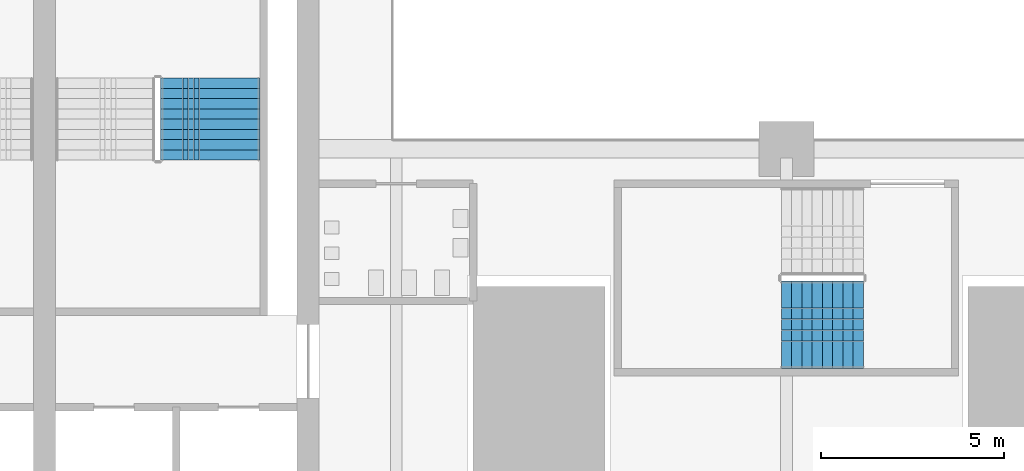
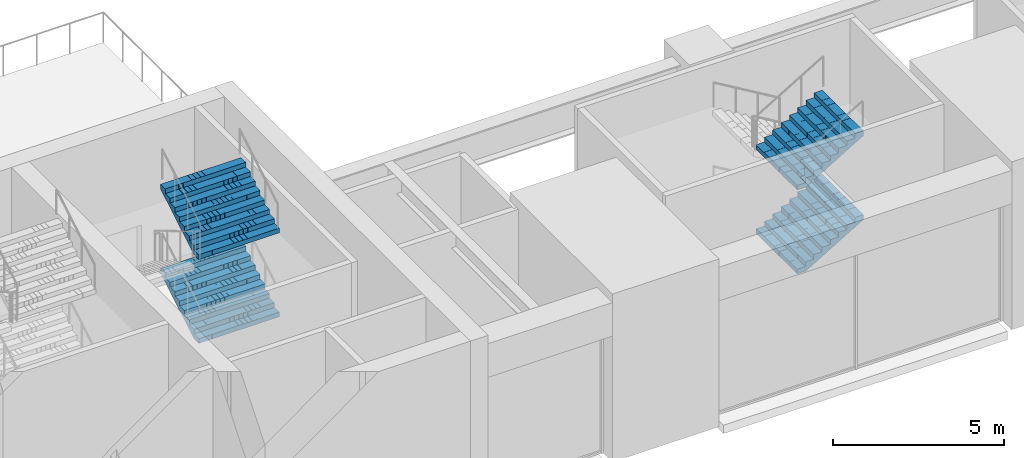
# One storey, part 22 of 43: 4 stair flights, 2 elements without a shape of their own.
"""IFC4 building model written with IfcOpenShell, lengths in metres."""

from ifc_helpers import new_model, si_unit, direction, frame, origin, place, context, subcontext, project, spatial, polyline, outline, extrude, material, type_object, element, aggregate, save


model = new_model("IFC4")

# Units and contexts
model_context = context("Model", 3, precision=1e-05, world=origin(), true_north=direction((0.0, 1.0)))
body_context = subcontext(model_context, "Body", "Model", "MODEL_VIEW")
ifc_project = project(units=[si_unit("LENGTHUNIT", "METRE"), si_unit("AREAUNIT", "SQUARE_METRE"), si_unit("VOLUMEUNIT", "CUBIC_METRE"), si_unit("PLANEANGLEUNIT", "RADIAN"), si_unit("MASSUNIT", "GRAM", prefix="KILO")], contexts=[model_context])

# Site, building, storey
site_placement = place(None, origin())
site = spatial("IfcSite", under=ifc_project, at=site_placement, CompositionType="ELEMENT")
building_placement = place(site_placement, origin())
building = spatial("IfcBuilding", under=site, at=building_placement, Name="Corbelhall Arena Tower", CompositionType="ELEMENT")
storey_placement = place(building_placement, frame((0.0, 0.0, 25.0)))
storey = spatial("IfcBuildingStorey", under=building, at=storey_placement, Name="L03", CompositionType="ELEMENT", Elevation=25.0)

# Stair, stair flights
ifc_material = material(Name="Reinforced concrete C40/50", Category="concrete")
stair_type = type_object("IfcStairType", Name="AR-EXIT-STAIR", PredefinedType="HALF_TURN_STAIR", material=ifc_material)
stair_1_placement = place(storey_placement, origin())
stair_1 = element("IfcStair", 1, at=stair_1_placement, inside=storey, type_object=stair_type, Name="L03 exit stair AS13", PredefinedType="HALF_TURN_STAIR")
stair_flight_type = type_object("IfcStairFlightType", Name="AR-EXIT-FLIGHT", PredefinedType="STRAIGHT", material=ifc_material)
stair_flight_1_placement = place(storey_placement, frame((-20.389892578125, -34.050048828125, 1.5), z_axis=(0.0, 0.0, 1.0), x_axis=(1.0, 0.0, 0.0)))
stair_flight_1 = element("IfcStairFlight", 2, at=stair_flight_1_placement, type_object=stair_flight_type, Name="AS13 flight 2", NumberOfRisers=9, NumberOfTreads=8, PredefinedType="STRAIGHT", RiserHeight=0.166666667, TreadLength=0.28, context=body_context, shape_type="SweptSolid", body=[
    extrude(outline(polyline([(0.0, 0.0), (0.0, 0.166748046875), (0.280029296875, 0.166748046875), (0.280029296875, 0.333251953125), (0.56005859375, 0.333251953125), (0.56005859375, 0.5), (0.840087890625, 0.5), (0.840087890625, 0.666748046875), (1.1201171875, 0.666748046875), (1.1201171875, 0.833251953125), (1.39990234375, 0.833251953125), (1.39990234375, 1.0), (1.679931640625, 1.0), (1.679931640625, 1.166748046875), (1.9599609375, 1.166748046875), (1.9599609375, 1.333251953125), (2.239990234375, 1.333251953125), (2.239990234375, 1.5), (2.239990234375, 1.158935546875), (0.29296875, 0.0), (0.0, 0.0)])), frame((0.0, 1.199951171875, 0.0), z_axis=(0.0, -1.0, 0.0), x_axis=(1.0, 0.0, 0.0)), (0.0, 0.0, 1.0), 0.449951171875),
    extrude(outline(polyline([(0.0, 0.0), (0.0, 0.166748046875), (0.280029296875, 0.166748046875), (0.280029296875, 0.333251953125), (0.56005859375, 0.333251953125), (0.56005859375, 0.5), (0.840087890625, 0.5), (0.840087890625, 0.666748046875), (1.1201171875, 0.666748046875), (1.1201171875, 0.833251953125), (1.39990234375, 0.833251953125), (1.39990234375, 1.0), (1.679931640625, 1.0), (1.679931640625, 1.166748046875), (1.9599609375, 1.166748046875), (1.9599609375, 1.333251953125), (2.239990234375, 1.333251953125), (2.239990234375, 1.5), (2.239990234375, 1.158935546875), (0.29296875, 0.0), (0.0, 0.0)])), frame((0.0, 0.745849609375, 0.0), z_axis=(0.0, -1.0, 0.0), x_axis=(1.0, 0.0, 0.0)), (0.0, 0.0, 1.0), 0.295166015625),
    extrude(outline(polyline([(0.0, 0.0), (0.0, 0.166748046875), (0.280029296875, 0.166748046875), (0.280029296875, 0.333251953125), (0.56005859375, 0.333251953125), (0.56005859375, 0.5), (0.840087890625, 0.5), (0.840087890625, 0.666748046875), (1.1201171875, 0.666748046875), (1.1201171875, 0.833251953125), (1.39990234375, 0.833251953125), (1.39990234375, 1.0), (1.679931640625, 1.0), (1.679931640625, 1.166748046875), (1.9599609375, 1.166748046875), (1.9599609375, 1.333251953125), (2.239990234375, 1.333251953125), (2.239990234375, 1.5), (2.239990234375, 1.158935546875), (0.29296875, 0.0), (0.0, 0.0)])), frame((0.0, 0.44677734375, 0.0), z_axis=(0.0, -1.0, 0.0), x_axis=(1.0, 0.0, 0.0)), (0.0, 0.0, 1.0), 0.295166015625),
    extrude(outline(polyline([(0.0, 0.0), (0.0, 0.166748046875), (0.280029296875, 0.166748046875), (0.280029296875, 0.333251953125), (0.56005859375, 0.333251953125), (0.56005859375, 0.5), (0.840087890625, 0.5), (0.840087890625, 0.666748046875), (1.1201171875, 0.666748046875), (1.1201171875, 0.833251953125), (1.39990234375, 0.833251953125), (1.39990234375, 1.0), (1.679931640625, 1.0), (1.679931640625, 1.166748046875), (1.9599609375, 1.166748046875), (1.9599609375, 1.333251953125), (2.239990234375, 1.333251953125), (2.239990234375, 1.5), (2.239990234375, 1.158935546875), (0.29296875, 0.0), (0.0, 0.0)])), frame((0.0, 0.147705078125, 0.0), z_axis=(0.0, -1.0, 0.0), x_axis=(1.0, 0.0, 0.0)), (0.0, 0.0, 1.0), 0.295166015625),
    extrude(outline(polyline([(0.0, 0.0), (0.0, 0.166748046875), (0.280029296875, 0.166748046875), (0.280029296875, 0.333251953125), (0.56005859375, 0.333251953125), (0.56005859375, 0.5), (0.840087890625, 0.5), (0.840087890625, 0.666748046875), (1.1201171875, 0.666748046875), (1.1201171875, 0.833251953125), (1.39990234375, 0.833251953125), (1.39990234375, 1.0), (1.679931640625, 1.0), (1.679931640625, 1.166748046875), (1.9599609375, 1.166748046875), (1.9599609375, 1.333251953125), (2.239990234375, 1.333251953125), (2.239990234375, 1.5), (2.239990234375, 1.158935546875), (0.29296875, 0.0), (0.0, 0.0)])), frame((0.0, -0.151611328125, 0.0), z_axis=(0.0, -1.0, 0.0), x_axis=(1.0, 0.0, 0.0)), (0.0, 0.0, 1.0), 0.295166015625),
    extrude(outline(polyline([(0.0, 0.0), (0.0, 0.166748046875), (0.280029296875, 0.166748046875), (0.280029296875, 0.333251953125), (0.56005859375, 0.333251953125), (0.56005859375, 0.5), (0.840087890625, 0.5), (0.840087890625, 0.666748046875), (1.1201171875, 0.666748046875), (1.1201171875, 0.833251953125), (1.39990234375, 0.833251953125), (1.39990234375, 1.0), (1.679931640625, 1.0), (1.679931640625, 1.166748046875), (1.9599609375, 1.166748046875), (1.9599609375, 1.333251953125), (2.239990234375, 1.333251953125), (2.239990234375, 1.5), (2.239990234375, 1.158935546875), (0.29296875, 0.0), (0.0, 0.0)])), frame((0.0, -0.45068359375, 0.0), z_axis=(0.0, -1.0, 0.0), x_axis=(1.0, 0.0, 0.0)), (0.0, 0.0, 1.0), 0.295166015625),
    extrude(outline(polyline([(0.0, 0.0), (0.0, 0.166748046875), (0.280029296875, 0.166748046875), (0.280029296875, 0.333251953125), (0.56005859375, 0.333251953125), (0.56005859375, 0.5), (0.840087890625, 0.5), (0.840087890625, 0.666748046875), (1.1201171875, 0.666748046875), (1.1201171875, 0.833251953125), (1.39990234375, 0.833251953125), (1.39990234375, 1.0), (1.679931640625, 1.0), (1.679931640625, 1.166748046875), (1.9599609375, 1.166748046875), (1.9599609375, 1.333251953125), (2.239990234375, 1.333251953125), (2.239990234375, 1.5), (2.239990234375, 1.158935546875), (0.29296875, 0.0), (0.0, 0.0)])), frame((0.0, -0.75, 0.0), z_axis=(0.0, -1.0, 0.0), x_axis=(1.0, 0.0, 0.0)), (0.0, 0.0, 1.0), 0.449951171875),
])
stair_flight_2_placement = place(storey_placement, frame((-20.389892578125, -34.050048828125, 4.5), z_axis=(0.0, 0.0, 1.0), x_axis=(1.0, 0.0, 0.0)))
stair_flight_2 = element("IfcStairFlight", 3, at=stair_flight_2_placement, type_object=stair_flight_type, Name="AS13 flight 4", NumberOfRisers=9, NumberOfTreads=8, PredefinedType="STRAIGHT", RiserHeight=0.166666667, TreadLength=0.28, context=body_context, shape_type="SweptSolid", body=[
    extrude(outline(polyline([(0.0, 0.0), (0.0, 0.166748046875), (0.280029296875, 0.166748046875), (0.280029296875, 0.333251953125), (0.56005859375, 0.333251953125), (0.56005859375, 0.5), (0.840087890625, 0.5), (0.840087890625, 0.666748046875), (1.1201171875, 0.666748046875), (1.1201171875, 0.833251953125), (1.39990234375, 0.833251953125), (1.39990234375, 1.0), (1.679931640625, 1.0), (1.679931640625, 1.166748046875), (1.9599609375, 1.166748046875), (1.9599609375, 1.333251953125), (2.239990234375, 1.333251953125), (2.239990234375, 1.5), (2.239990234375, 1.158935546875), (0.29296875, 0.0), (0.0, 0.0)])), frame((0.0, 1.199951171875, 0.0), z_axis=(0.0, -1.0, 0.0), x_axis=(1.0, 0.0, 0.0)), (0.0, 0.0, 1.0), 0.449951171875),
    extrude(outline(polyline([(0.0, 0.0), (0.0, 0.166748046875), (0.280029296875, 0.166748046875), (0.280029296875, 0.333251953125), (0.56005859375, 0.333251953125), (0.56005859375, 0.5), (0.840087890625, 0.5), (0.840087890625, 0.666748046875), (1.1201171875, 0.666748046875), (1.1201171875, 0.833251953125), (1.39990234375, 0.833251953125), (1.39990234375, 1.0), (1.679931640625, 1.0), (1.679931640625, 1.166748046875), (1.9599609375, 1.166748046875), (1.9599609375, 1.333251953125), (2.239990234375, 1.333251953125), (2.239990234375, 1.5), (2.239990234375, 1.158935546875), (0.29296875, 0.0), (0.0, 0.0)])), frame((0.0, 0.745849609375, 0.0), z_axis=(0.0, -1.0, 0.0), x_axis=(1.0, 0.0, 0.0)), (0.0, 0.0, 1.0), 0.295166015625),
    extrude(outline(polyline([(0.0, 0.0), (0.0, 0.166748046875), (0.280029296875, 0.166748046875), (0.280029296875, 0.333251953125), (0.56005859375, 0.333251953125), (0.56005859375, 0.5), (0.840087890625, 0.5), (0.840087890625, 0.666748046875), (1.1201171875, 0.666748046875), (1.1201171875, 0.833251953125), (1.39990234375, 0.833251953125), (1.39990234375, 1.0), (1.679931640625, 1.0), (1.679931640625, 1.166748046875), (1.9599609375, 1.166748046875), (1.9599609375, 1.333251953125), (2.239990234375, 1.333251953125), (2.239990234375, 1.5), (2.239990234375, 1.158935546875), (0.29296875, 0.0), (0.0, 0.0)])), frame((0.0, 0.44677734375, 0.0), z_axis=(0.0, -1.0, 0.0), x_axis=(1.0, 0.0, 0.0)), (0.0, 0.0, 1.0), 0.295166015625),
    extrude(outline(polyline([(0.0, 0.0), (0.0, 0.166748046875), (0.280029296875, 0.166748046875), (0.280029296875, 0.333251953125), (0.56005859375, 0.333251953125), (0.56005859375, 0.5), (0.840087890625, 0.5), (0.840087890625, 0.666748046875), (1.1201171875, 0.666748046875), (1.1201171875, 0.833251953125), (1.39990234375, 0.833251953125), (1.39990234375, 1.0), (1.679931640625, 1.0), (1.679931640625, 1.166748046875), (1.9599609375, 1.166748046875), (1.9599609375, 1.333251953125), (2.239990234375, 1.333251953125), (2.239990234375, 1.5), (2.239990234375, 1.158935546875), (0.29296875, 0.0), (0.0, 0.0)])), frame((0.0, 0.147705078125, 0.0), z_axis=(0.0, -1.0, 0.0), x_axis=(1.0, 0.0, 0.0)), (0.0, 0.0, 1.0), 0.295166015625),
    extrude(outline(polyline([(0.0, 0.0), (0.0, 0.166748046875), (0.280029296875, 0.166748046875), (0.280029296875, 0.333251953125), (0.56005859375, 0.333251953125), (0.56005859375, 0.5), (0.840087890625, 0.5), (0.840087890625, 0.666748046875), (1.1201171875, 0.666748046875), (1.1201171875, 0.833251953125), (1.39990234375, 0.833251953125), (1.39990234375, 1.0), (1.679931640625, 1.0), (1.679931640625, 1.166748046875), (1.9599609375, 1.166748046875), (1.9599609375, 1.333251953125), (2.239990234375, 1.333251953125), (2.239990234375, 1.5), (2.239990234375, 1.158935546875), (0.29296875, 0.0), (0.0, 0.0)])), frame((0.0, -0.151611328125, 0.0), z_axis=(0.0, -1.0, 0.0), x_axis=(1.0, 0.0, 0.0)), (0.0, 0.0, 1.0), 0.295166015625),
    extrude(outline(polyline([(0.0, 0.0), (0.0, 0.166748046875), (0.280029296875, 0.166748046875), (0.280029296875, 0.333251953125), (0.56005859375, 0.333251953125), (0.56005859375, 0.5), (0.840087890625, 0.5), (0.840087890625, 0.666748046875), (1.1201171875, 0.666748046875), (1.1201171875, 0.833251953125), (1.39990234375, 0.833251953125), (1.39990234375, 1.0), (1.679931640625, 1.0), (1.679931640625, 1.166748046875), (1.9599609375, 1.166748046875), (1.9599609375, 1.333251953125), (2.239990234375, 1.333251953125), (2.239990234375, 1.5), (2.239990234375, 1.158935546875), (0.29296875, 0.0), (0.0, 0.0)])), frame((0.0, -0.45068359375, 0.0), z_axis=(0.0, -1.0, 0.0), x_axis=(1.0, 0.0, 0.0)), (0.0, 0.0, 1.0), 0.295166015625),
    extrude(outline(polyline([(0.0, 0.0), (0.0, 0.166748046875), (0.280029296875, 0.166748046875), (0.280029296875, 0.333251953125), (0.56005859375, 0.333251953125), (0.56005859375, 0.5), (0.840087890625, 0.5), (0.840087890625, 0.666748046875), (1.1201171875, 0.666748046875), (1.1201171875, 0.833251953125), (1.39990234375, 0.833251953125), (1.39990234375, 1.0), (1.679931640625, 1.0), (1.679931640625, 1.166748046875), (1.9599609375, 1.166748046875), (1.9599609375, 1.333251953125), (2.239990234375, 1.333251953125), (2.239990234375, 1.5), (2.239990234375, 1.158935546875), (0.29296875, 0.0), (0.0, 0.0)])), frame((0.0, -0.75, 0.0), z_axis=(0.0, -1.0, 0.0), x_axis=(1.0, 0.0, 0.0)), (0.0, 0.0, 1.0), 0.449951171875),
])
aggregate(stair_1, [stair_flight_1, stair_flight_2])

stair_2_placement = place(storey_placement, origin())
stair_2 = element("IfcStair", 4, at=stair_2_placement, inside=storey, type_object=stair_type, Name="L03 exit stair AS7", PredefinedType="HALF_TURN_STAIR")
stair_flight_3_placement = place(storey_placement, frame((-35.969970703125, -29.56005859375, 1.5), z_axis=(0.0, 0.0, 1.0), x_axis=(0.0, 1.0, 0.0)))
stair_flight_3 = element("IfcStairFlight", 5, at=stair_flight_3_placement, type_object=stair_flight_type, Name="AS7 flight 2", NumberOfRisers=9, NumberOfTreads=8, PredefinedType="STRAIGHT", RiserHeight=0.166666667, TreadLength=0.28, context=body_context, shape_type="SweptSolid", body=[
    extrude(outline(polyline([(0.0, 0.0), (0.0, 0.166748046875), (0.280029296875, 0.166748046875), (0.280029296875, 0.333251953125), (0.56005859375, 0.333251953125), (0.56005859375, 0.5), (0.840087890625, 0.5), (0.840087890625, 0.666748046875), (1.1201171875, 0.666748046875), (1.1201171875, 0.833251953125), (1.39990234375, 0.833251953125), (1.39990234375, 1.0), (1.679931640625, 1.0), (1.679931640625, 1.166748046875), (1.9599609375, 1.166748046875), (1.9599609375, 1.333251953125), (2.239990234375, 1.333251953125), (2.239990234375, 1.5), (2.239990234375, 1.158935546875), (0.29296875, 0.0), (0.0, 0.0)])), frame((0.0, 1.35986328125, 0.0), z_axis=(0.0, -1.0, 0.0), x_axis=(1.0, 0.0, 0.0)), (0.0, 0.0, 1.0), 0.449951171875),
    extrude(outline(polyline([(0.0, 0.0), (0.0, 0.166748046875), (0.280029296875, 0.166748046875), (0.280029296875, 0.333251953125), (0.56005859375, 0.333251953125), (0.56005859375, 0.5), (0.840087890625, 0.5), (0.840087890625, 0.666748046875), (1.1201171875, 0.666748046875), (1.1201171875, 0.833251953125), (1.39990234375, 0.833251953125), (1.39990234375, 1.0), (1.679931640625, 1.0), (1.679931640625, 1.166748046875), (1.9599609375, 1.166748046875), (1.9599609375, 1.333251953125), (2.239990234375, 1.333251953125), (2.239990234375, 1.5), (2.239990234375, 1.158935546875), (0.29296875, 0.0), (0.0, 0.0)])), frame((0.0, 0.906005859375, 0.0), z_axis=(0.0, -1.0, 0.0), x_axis=(1.0, 0.0, 0.0)), (0.0, 0.0, 1.0), 0.147216796875),
    extrude(outline(polyline([(0.0, 0.0), (0.0, 0.166748046875), (0.280029296875, 0.166748046875), (0.280029296875, 0.333251953125), (0.56005859375, 0.333251953125), (0.56005859375, 0.5), (0.840087890625, 0.5), (0.840087890625, 0.666748046875), (1.1201171875, 0.666748046875), (1.1201171875, 0.833251953125), (1.39990234375, 0.833251953125), (1.39990234375, 1.0), (1.679931640625, 1.0), (1.679931640625, 1.166748046875), (1.9599609375, 1.166748046875), (1.9599609375, 1.333251953125), (2.239990234375, 1.333251953125), (2.239990234375, 1.5), (2.239990234375, 1.158935546875), (0.29296875, 0.0), (0.0, 0.0)])), frame((0.0, 0.754638671875, 0.0), z_axis=(0.0, -1.0, 0.0), x_axis=(1.0, 0.0, 0.0)), (0.0, 0.0, 1.0), 0.147216796875),
    extrude(outline(polyline([(0.0, 0.0), (0.0, 0.166748046875), (0.280029296875, 0.166748046875), (0.280029296875, 0.333251953125), (0.56005859375, 0.333251953125), (0.56005859375, 0.5), (0.840087890625, 0.5), (0.840087890625, 0.666748046875), (1.1201171875, 0.666748046875), (1.1201171875, 0.833251953125), (1.39990234375, 0.833251953125), (1.39990234375, 1.0), (1.679931640625, 1.0), (1.679931640625, 1.166748046875), (1.9599609375, 1.166748046875), (1.9599609375, 1.333251953125), (2.239990234375, 1.333251953125), (2.239990234375, 1.5), (2.239990234375, 1.158935546875), (0.29296875, 0.0), (0.0, 0.0)])), frame((0.0, 0.603271484375, 0.0), z_axis=(0.0, -1.0, 0.0), x_axis=(1.0, 0.0, 0.0)), (0.0, 0.0, 1.0), 0.147216796875),
    extrude(outline(polyline([(0.0, 0.0), (0.0, 0.166748046875), (0.280029296875, 0.166748046875), (0.280029296875, 0.333251953125), (0.56005859375, 0.333251953125), (0.56005859375, 0.5), (0.840087890625, 0.5), (0.840087890625, 0.666748046875), (1.1201171875, 0.666748046875), (1.1201171875, 0.833251953125), (1.39990234375, 0.833251953125), (1.39990234375, 1.0), (1.679931640625, 1.0), (1.679931640625, 1.166748046875), (1.9599609375, 1.166748046875), (1.9599609375, 1.333251953125), (2.239990234375, 1.333251953125), (2.239990234375, 1.5), (2.239990234375, 1.158935546875), (0.29296875, 0.0), (0.0, 0.0)])), frame((0.0, 0.451904296875, 0.0), z_axis=(0.0, -1.0, 0.0), x_axis=(1.0, 0.0, 0.0)), (0.0, 0.0, 1.0), 0.147216796875),
    extrude(outline(polyline([(0.0, 0.0), (0.0, 0.166748046875), (0.280029296875, 0.166748046875), (0.280029296875, 0.333251953125), (0.56005859375, 0.333251953125), (0.56005859375, 0.5), (0.840087890625, 0.5), (0.840087890625, 0.666748046875), (1.1201171875, 0.666748046875), (1.1201171875, 0.833251953125), (1.39990234375, 0.833251953125), (1.39990234375, 1.0), (1.679931640625, 1.0), (1.679931640625, 1.166748046875), (1.9599609375, 1.166748046875), (1.9599609375, 1.333251953125), (2.239990234375, 1.333251953125), (2.239990234375, 1.5), (2.239990234375, 1.158935546875), (0.29296875, 0.0), (0.0, 0.0)])), frame((0.0, 0.30078125, 0.0), z_axis=(0.0, -1.0, 0.0), x_axis=(1.0, 0.0, 0.0)), (0.0, 0.0, 1.0), 0.147216796875),
    extrude(outline(polyline([(0.0, 0.0), (0.0, 0.166748046875), (0.280029296875, 0.166748046875), (0.280029296875, 0.333251953125), (0.56005859375, 0.333251953125), (0.56005859375, 0.5), (0.840087890625, 0.5), (0.840087890625, 0.666748046875), (1.1201171875, 0.666748046875), (1.1201171875, 0.833251953125), (1.39990234375, 0.833251953125), (1.39990234375, 1.0), (1.679931640625, 1.0), (1.679931640625, 1.166748046875), (1.9599609375, 1.166748046875), (1.9599609375, 1.333251953125), (2.239990234375, 1.333251953125), (2.239990234375, 1.5), (2.239990234375, 1.158935546875), (0.29296875, 0.0), (0.0, 0.0)])), frame((0.0, 0.1494140625, 0.0), z_axis=(0.0, -1.0, 0.0), x_axis=(1.0, 0.0, 0.0)), (0.0, 0.0, 1.0), 0.147216796875),
    extrude(outline(polyline([(0.0, 0.0), (0.0, 0.166748046875), (0.280029296875, 0.166748046875), (0.280029296875, 0.333251953125), (0.56005859375, 0.333251953125), (0.56005859375, 0.5), (0.840087890625, 0.5), (0.840087890625, 0.666748046875), (1.1201171875, 0.666748046875), (1.1201171875, 0.833251953125), (1.39990234375, 0.833251953125), (1.39990234375, 1.0), (1.679931640625, 1.0), (1.679931640625, 1.166748046875), (1.9599609375, 1.166748046875), (1.9599609375, 1.333251953125), (2.239990234375, 1.333251953125), (2.239990234375, 1.5), (2.239990234375, 1.158935546875), (0.29296875, 0.0), (0.0, 0.0)])), frame((0.0, -0.001953125, 0.0), z_axis=(0.0, -1.0, 0.0), x_axis=(1.0, 0.0, 0.0)), (0.0, 0.0, 1.0), 0.147216796875),
    extrude(outline(polyline([(0.0, 0.0), (0.0, 0.166748046875), (0.280029296875, 0.166748046875), (0.280029296875, 0.333251953125), (0.56005859375, 0.333251953125), (0.56005859375, 0.5), (0.840087890625, 0.5), (0.840087890625, 0.666748046875), (1.1201171875, 0.666748046875), (1.1201171875, 0.833251953125), (1.39990234375, 0.833251953125), (1.39990234375, 1.0), (1.679931640625, 1.0), (1.679931640625, 1.166748046875), (1.9599609375, 1.166748046875), (1.9599609375, 1.333251953125), (2.239990234375, 1.333251953125), (2.239990234375, 1.5), (2.239990234375, 1.158935546875), (0.29296875, 0.0), (0.0, 0.0)])), frame((0.0, -0.1533203125, 0.0), z_axis=(0.0, -1.0, 0.0), x_axis=(1.0, 0.0, 0.0)), (0.0, 0.0, 1.0), 0.147216796875),
    extrude(outline(polyline([(0.0, 0.0), (0.0, 0.166748046875), (0.280029296875, 0.166748046875), (0.280029296875, 0.333251953125), (0.56005859375, 0.333251953125), (0.56005859375, 0.5), (0.840087890625, 0.5), (0.840087890625, 0.666748046875), (1.1201171875, 0.666748046875), (1.1201171875, 0.833251953125), (1.39990234375, 0.833251953125), (1.39990234375, 1.0), (1.679931640625, 1.0), (1.679931640625, 1.166748046875), (1.9599609375, 1.166748046875), (1.9599609375, 1.333251953125), (2.239990234375, 1.333251953125), (2.239990234375, 1.5), (2.239990234375, 1.158935546875), (0.29296875, 0.0), (0.0, 0.0)])), frame((0.0, -0.3046875, 0.0), z_axis=(0.0, -1.0, 0.0), x_axis=(1.0, 0.0, 0.0)), (0.0, 0.0, 1.0), 0.147216796875),
    extrude(outline(polyline([(0.0, 0.0), (0.0, 0.166748046875), (0.280029296875, 0.166748046875), (0.280029296875, 0.333251953125), (0.56005859375, 0.333251953125), (0.56005859375, 0.5), (0.840087890625, 0.5), (0.840087890625, 0.666748046875), (1.1201171875, 0.666748046875), (1.1201171875, 0.833251953125), (1.39990234375, 0.833251953125), (1.39990234375, 1.0), (1.679931640625, 1.0), (1.679931640625, 1.166748046875), (1.9599609375, 1.166748046875), (1.9599609375, 1.333251953125), (2.239990234375, 1.333251953125), (2.239990234375, 1.5), (2.239990234375, 1.158935546875), (0.29296875, 0.0), (0.0, 0.0)])), frame((0.0, -0.4560546875, 0.0), z_axis=(0.0, -1.0, 0.0), x_axis=(1.0, 0.0, 0.0)), (0.0, 0.0, 1.0), 0.147216796875),
    extrude(outline(polyline([(0.0, 0.0), (0.0, 0.166748046875), (0.280029296875, 0.166748046875), (0.280029296875, 0.333251953125), (0.56005859375, 0.333251953125), (0.56005859375, 0.5), (0.840087890625, 0.5), (0.840087890625, 0.666748046875), (1.1201171875, 0.666748046875), (1.1201171875, 0.833251953125), (1.39990234375, 0.833251953125), (1.39990234375, 1.0), (1.679931640625, 1.0), (1.679931640625, 1.166748046875), (1.9599609375, 1.166748046875), (1.9599609375, 1.333251953125), (2.239990234375, 1.333251953125), (2.239990234375, 1.5), (2.239990234375, 1.158935546875), (0.29296875, 0.0), (0.0, 0.0)])), frame((0.0, -0.607421875, 0.0), z_axis=(0.0, -1.0, 0.0), x_axis=(1.0, 0.0, 0.0)), (0.0, 0.0, 1.0), 0.147216796875),
    extrude(outline(polyline([(0.0, 0.0), (0.0, 0.166748046875), (0.280029296875, 0.166748046875), (0.280029296875, 0.333251953125), (0.56005859375, 0.333251953125), (0.56005859375, 0.5), (0.840087890625, 0.5), (0.840087890625, 0.666748046875), (1.1201171875, 0.666748046875), (1.1201171875, 0.833251953125), (1.39990234375, 0.833251953125), (1.39990234375, 1.0), (1.679931640625, 1.0), (1.679931640625, 1.166748046875), (1.9599609375, 1.166748046875), (1.9599609375, 1.333251953125), (2.239990234375, 1.333251953125), (2.239990234375, 1.5), (2.239990234375, 1.158935546875), (0.29296875, 0.0), (0.0, 0.0)])), frame((0.0, -0.758544921875, 0.0), z_axis=(0.0, -1.0, 0.0), x_axis=(1.0, 0.0, 0.0)), (0.0, 0.0, 1.0), 0.147216796875),
    extrude(outline(polyline([(0.0, 0.0), (0.0, 0.166748046875), (0.280029296875, 0.166748046875), (0.280029296875, 0.333251953125), (0.56005859375, 0.333251953125), (0.56005859375, 0.5), (0.840087890625, 0.5), (0.840087890625, 0.666748046875), (1.1201171875, 0.666748046875), (1.1201171875, 0.833251953125), (1.39990234375, 0.833251953125), (1.39990234375, 1.0), (1.679931640625, 1.0), (1.679931640625, 1.166748046875), (1.9599609375, 1.166748046875), (1.9599609375, 1.333251953125), (2.239990234375, 1.333251953125), (2.239990234375, 1.5), (2.239990234375, 1.158935546875), (0.29296875, 0.0), (0.0, 0.0)])), frame((0.0, -0.909912109375, 0.0), z_axis=(0.0, -1.0, 0.0), x_axis=(1.0, 0.0, 0.0)), (0.0, 0.0, 1.0), 0.449951171875),
])
stair_flight_4_placement = place(storey_placement, frame((-35.969970703125, -29.56005859375, 4.5), z_axis=(0.0, 0.0, 1.0), x_axis=(0.0, 1.0, 0.0)))
stair_flight_4 = element("IfcStairFlight", 6, at=stair_flight_4_placement, type_object=stair_flight_type, Name="AS7 flight 4", NumberOfRisers=9, NumberOfTreads=8, PredefinedType="STRAIGHT", RiserHeight=0.166666667, TreadLength=0.28, context=body_context, shape_type="SweptSolid", body=[
    extrude(outline(polyline([(0.0, 0.0), (0.0, 0.166748046875), (0.280029296875, 0.166748046875), (0.280029296875, 0.333251953125), (0.56005859375, 0.333251953125), (0.56005859375, 0.5), (0.840087890625, 0.5), (0.840087890625, 0.666748046875), (1.1201171875, 0.666748046875), (1.1201171875, 0.833251953125), (1.39990234375, 0.833251953125), (1.39990234375, 1.0), (1.679931640625, 1.0), (1.679931640625, 1.166748046875), (1.9599609375, 1.166748046875), (1.9599609375, 1.333251953125), (2.239990234375, 1.333251953125), (2.239990234375, 1.5), (2.239990234375, 1.158935546875), (0.29296875, 0.0), (0.0, 0.0)])), frame((0.0, 1.35986328125, 0.0), z_axis=(0.0, -1.0, 0.0), x_axis=(1.0, 0.0, 0.0)), (0.0, 0.0, 1.0), 0.449951171875),
    extrude(outline(polyline([(0.0, 0.0), (0.0, 0.166748046875), (0.280029296875, 0.166748046875), (0.280029296875, 0.333251953125), (0.56005859375, 0.333251953125), (0.56005859375, 0.5), (0.840087890625, 0.5), (0.840087890625, 0.666748046875), (1.1201171875, 0.666748046875), (1.1201171875, 0.833251953125), (1.39990234375, 0.833251953125), (1.39990234375, 1.0), (1.679931640625, 1.0), (1.679931640625, 1.166748046875), (1.9599609375, 1.166748046875), (1.9599609375, 1.333251953125), (2.239990234375, 1.333251953125), (2.239990234375, 1.5), (2.239990234375, 1.158935546875), (0.29296875, 0.0), (0.0, 0.0)])), frame((0.0, 0.906005859375, 0.0), z_axis=(0.0, -1.0, 0.0), x_axis=(1.0, 0.0, 0.0)), (0.0, 0.0, 1.0), 0.147216796875),
    extrude(outline(polyline([(0.0, 0.0), (0.0, 0.166748046875), (0.280029296875, 0.166748046875), (0.280029296875, 0.333251953125), (0.56005859375, 0.333251953125), (0.56005859375, 0.5), (0.840087890625, 0.5), (0.840087890625, 0.666748046875), (1.1201171875, 0.666748046875), (1.1201171875, 0.833251953125), (1.39990234375, 0.833251953125), (1.39990234375, 1.0), (1.679931640625, 1.0), (1.679931640625, 1.166748046875), (1.9599609375, 1.166748046875), (1.9599609375, 1.333251953125), (2.239990234375, 1.333251953125), (2.239990234375, 1.5), (2.239990234375, 1.158935546875), (0.29296875, 0.0), (0.0, 0.0)])), frame((0.0, 0.754638671875, 0.0), z_axis=(0.0, -1.0, 0.0), x_axis=(1.0, 0.0, 0.0)), (0.0, 0.0, 1.0), 0.147216796875),
    extrude(outline(polyline([(0.0, 0.0), (0.0, 0.166748046875), (0.280029296875, 0.166748046875), (0.280029296875, 0.333251953125), (0.56005859375, 0.333251953125), (0.56005859375, 0.5), (0.840087890625, 0.5), (0.840087890625, 0.666748046875), (1.1201171875, 0.666748046875), (1.1201171875, 0.833251953125), (1.39990234375, 0.833251953125), (1.39990234375, 1.0), (1.679931640625, 1.0), (1.679931640625, 1.166748046875), (1.9599609375, 1.166748046875), (1.9599609375, 1.333251953125), (2.239990234375, 1.333251953125), (2.239990234375, 1.5), (2.239990234375, 1.158935546875), (0.29296875, 0.0), (0.0, 0.0)])), frame((0.0, 0.603271484375, 0.0), z_axis=(0.0, -1.0, 0.0), x_axis=(1.0, 0.0, 0.0)), (0.0, 0.0, 1.0), 0.147216796875),
    extrude(outline(polyline([(0.0, 0.0), (0.0, 0.166748046875), (0.280029296875, 0.166748046875), (0.280029296875, 0.333251953125), (0.56005859375, 0.333251953125), (0.56005859375, 0.5), (0.840087890625, 0.5), (0.840087890625, 0.666748046875), (1.1201171875, 0.666748046875), (1.1201171875, 0.833251953125), (1.39990234375, 0.833251953125), (1.39990234375, 1.0), (1.679931640625, 1.0), (1.679931640625, 1.166748046875), (1.9599609375, 1.166748046875), (1.9599609375, 1.333251953125), (2.239990234375, 1.333251953125), (2.239990234375, 1.5), (2.239990234375, 1.158935546875), (0.29296875, 0.0), (0.0, 0.0)])), frame((0.0, 0.451904296875, 0.0), z_axis=(0.0, -1.0, 0.0), x_axis=(1.0, 0.0, 0.0)), (0.0, 0.0, 1.0), 0.147216796875),
    extrude(outline(polyline([(0.0, 0.0), (0.0, 0.166748046875), (0.280029296875, 0.166748046875), (0.280029296875, 0.333251953125), (0.56005859375, 0.333251953125), (0.56005859375, 0.5), (0.840087890625, 0.5), (0.840087890625, 0.666748046875), (1.1201171875, 0.666748046875), (1.1201171875, 0.833251953125), (1.39990234375, 0.833251953125), (1.39990234375, 1.0), (1.679931640625, 1.0), (1.679931640625, 1.166748046875), (1.9599609375, 1.166748046875), (1.9599609375, 1.333251953125), (2.239990234375, 1.333251953125), (2.239990234375, 1.5), (2.239990234375, 1.158935546875), (0.29296875, 0.0), (0.0, 0.0)])), frame((0.0, 0.30078125, 0.0), z_axis=(0.0, -1.0, 0.0), x_axis=(1.0, 0.0, 0.0)), (0.0, 0.0, 1.0), 0.147216796875),
    extrude(outline(polyline([(0.0, 0.0), (0.0, 0.166748046875), (0.280029296875, 0.166748046875), (0.280029296875, 0.333251953125), (0.56005859375, 0.333251953125), (0.56005859375, 0.5), (0.840087890625, 0.5), (0.840087890625, 0.666748046875), (1.1201171875, 0.666748046875), (1.1201171875, 0.833251953125), (1.39990234375, 0.833251953125), (1.39990234375, 1.0), (1.679931640625, 1.0), (1.679931640625, 1.166748046875), (1.9599609375, 1.166748046875), (1.9599609375, 1.333251953125), (2.239990234375, 1.333251953125), (2.239990234375, 1.5), (2.239990234375, 1.158935546875), (0.29296875, 0.0), (0.0, 0.0)])), frame((0.0, 0.1494140625, 0.0), z_axis=(0.0, -1.0, 0.0), x_axis=(1.0, 0.0, 0.0)), (0.0, 0.0, 1.0), 0.147216796875),
    extrude(outline(polyline([(0.0, 0.0), (0.0, 0.166748046875), (0.280029296875, 0.166748046875), (0.280029296875, 0.333251953125), (0.56005859375, 0.333251953125), (0.56005859375, 0.5), (0.840087890625, 0.5), (0.840087890625, 0.666748046875), (1.1201171875, 0.666748046875), (1.1201171875, 0.833251953125), (1.39990234375, 0.833251953125), (1.39990234375, 1.0), (1.679931640625, 1.0), (1.679931640625, 1.166748046875), (1.9599609375, 1.166748046875), (1.9599609375, 1.333251953125), (2.239990234375, 1.333251953125), (2.239990234375, 1.5), (2.239990234375, 1.158935546875), (0.29296875, 0.0), (0.0, 0.0)])), frame((0.0, -0.001953125, 0.0), z_axis=(0.0, -1.0, 0.0), x_axis=(1.0, 0.0, 0.0)), (0.0, 0.0, 1.0), 0.147216796875),
    extrude(outline(polyline([(0.0, 0.0), (0.0, 0.166748046875), (0.280029296875, 0.166748046875), (0.280029296875, 0.333251953125), (0.56005859375, 0.333251953125), (0.56005859375, 0.5), (0.840087890625, 0.5), (0.840087890625, 0.666748046875), (1.1201171875, 0.666748046875), (1.1201171875, 0.833251953125), (1.39990234375, 0.833251953125), (1.39990234375, 1.0), (1.679931640625, 1.0), (1.679931640625, 1.166748046875), (1.9599609375, 1.166748046875), (1.9599609375, 1.333251953125), (2.239990234375, 1.333251953125), (2.239990234375, 1.5), (2.239990234375, 1.158935546875), (0.29296875, 0.0), (0.0, 0.0)])), frame((0.0, -0.1533203125, 0.0), z_axis=(0.0, -1.0, 0.0), x_axis=(1.0, 0.0, 0.0)), (0.0, 0.0, 1.0), 0.147216796875),
    extrude(outline(polyline([(0.0, 0.0), (0.0, 0.166748046875), (0.280029296875, 0.166748046875), (0.280029296875, 0.333251953125), (0.56005859375, 0.333251953125), (0.56005859375, 0.5), (0.840087890625, 0.5), (0.840087890625, 0.666748046875), (1.1201171875, 0.666748046875), (1.1201171875, 0.833251953125), (1.39990234375, 0.833251953125), (1.39990234375, 1.0), (1.679931640625, 1.0), (1.679931640625, 1.166748046875), (1.9599609375, 1.166748046875), (1.9599609375, 1.333251953125), (2.239990234375, 1.333251953125), (2.239990234375, 1.5), (2.239990234375, 1.158935546875), (0.29296875, 0.0), (0.0, 0.0)])), frame((0.0, -0.3046875, 0.0), z_axis=(0.0, -1.0, 0.0), x_axis=(1.0, 0.0, 0.0)), (0.0, 0.0, 1.0), 0.147216796875),
    extrude(outline(polyline([(0.0, 0.0), (0.0, 0.166748046875), (0.280029296875, 0.166748046875), (0.280029296875, 0.333251953125), (0.56005859375, 0.333251953125), (0.56005859375, 0.5), (0.840087890625, 0.5), (0.840087890625, 0.666748046875), (1.1201171875, 0.666748046875), (1.1201171875, 0.833251953125), (1.39990234375, 0.833251953125), (1.39990234375, 1.0), (1.679931640625, 1.0), (1.679931640625, 1.166748046875), (1.9599609375, 1.166748046875), (1.9599609375, 1.333251953125), (2.239990234375, 1.333251953125), (2.239990234375, 1.5), (2.239990234375, 1.158935546875), (0.29296875, 0.0), (0.0, 0.0)])), frame((0.0, -0.4560546875, 0.0), z_axis=(0.0, -1.0, 0.0), x_axis=(1.0, 0.0, 0.0)), (0.0, 0.0, 1.0), 0.147216796875),
    extrude(outline(polyline([(0.0, 0.0), (0.0, 0.166748046875), (0.280029296875, 0.166748046875), (0.280029296875, 0.333251953125), (0.56005859375, 0.333251953125), (0.56005859375, 0.5), (0.840087890625, 0.5), (0.840087890625, 0.666748046875), (1.1201171875, 0.666748046875), (1.1201171875, 0.833251953125), (1.39990234375, 0.833251953125), (1.39990234375, 1.0), (1.679931640625, 1.0), (1.679931640625, 1.166748046875), (1.9599609375, 1.166748046875), (1.9599609375, 1.333251953125), (2.239990234375, 1.333251953125), (2.239990234375, 1.5), (2.239990234375, 1.158935546875), (0.29296875, 0.0), (0.0, 0.0)])), frame((0.0, -0.607421875, 0.0), z_axis=(0.0, -1.0, 0.0), x_axis=(1.0, 0.0, 0.0)), (0.0, 0.0, 1.0), 0.147216796875),
    extrude(outline(polyline([(0.0, 0.0), (0.0, 0.166748046875), (0.280029296875, 0.166748046875), (0.280029296875, 0.333251953125), (0.56005859375, 0.333251953125), (0.56005859375, 0.5), (0.840087890625, 0.5), (0.840087890625, 0.666748046875), (1.1201171875, 0.666748046875), (1.1201171875, 0.833251953125), (1.39990234375, 0.833251953125), (1.39990234375, 1.0), (1.679931640625, 1.0), (1.679931640625, 1.166748046875), (1.9599609375, 1.166748046875), (1.9599609375, 1.333251953125), (2.239990234375, 1.333251953125), (2.239990234375, 1.5), (2.239990234375, 1.158935546875), (0.29296875, 0.0), (0.0, 0.0)])), frame((0.0, -0.758544921875, 0.0), z_axis=(0.0, -1.0, 0.0), x_axis=(1.0, 0.0, 0.0)), (0.0, 0.0, 1.0), 0.147216796875),
    extrude(outline(polyline([(0.0, 0.0), (0.0, 0.166748046875), (0.280029296875, 0.166748046875), (0.280029296875, 0.333251953125), (0.56005859375, 0.333251953125), (0.56005859375, 0.5), (0.840087890625, 0.5), (0.840087890625, 0.666748046875), (1.1201171875, 0.666748046875), (1.1201171875, 0.833251953125), (1.39990234375, 0.833251953125), (1.39990234375, 1.0), (1.679931640625, 1.0), (1.679931640625, 1.166748046875), (1.9599609375, 1.166748046875), (1.9599609375, 1.333251953125), (2.239990234375, 1.333251953125), (2.239990234375, 1.5), (2.239990234375, 1.158935546875), (0.29296875, 0.0), (0.0, 0.0)])), frame((0.0, -0.909912109375, 0.0), z_axis=(0.0, -1.0, 0.0), x_axis=(1.0, 0.0, 0.0)), (0.0, 0.0, 1.0), 0.449951171875),
])
aggregate(stair_2, [stair_flight_3, stair_flight_4])

save(model, "model.ifc")
